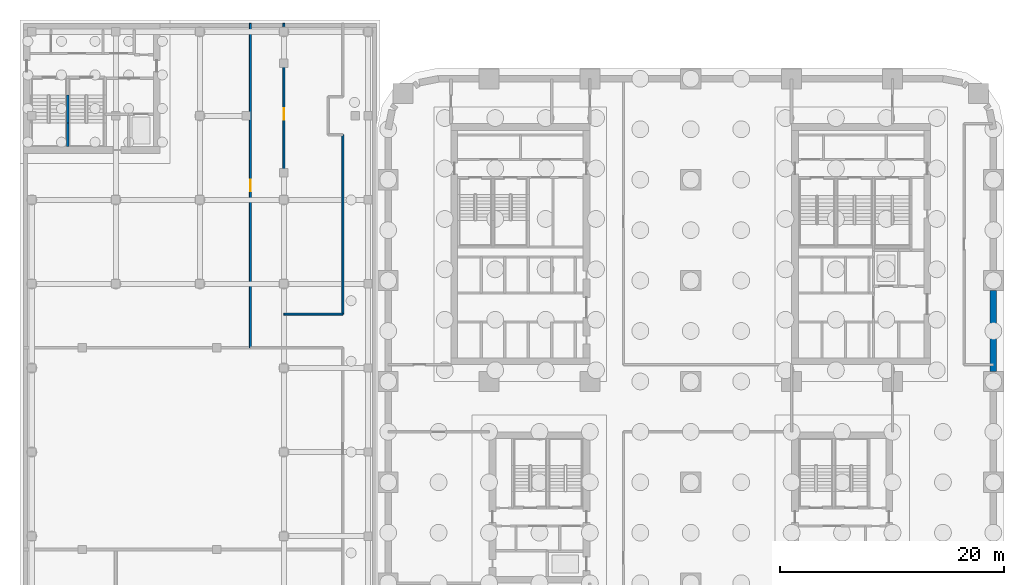
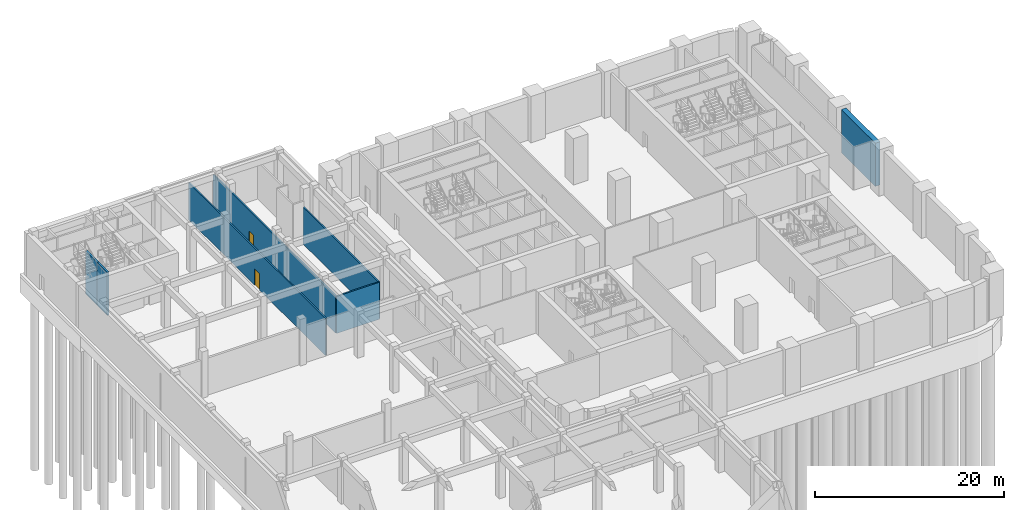
# One storey, part 10 of 26: 7 walls, 2 doors, 2 openings.
"""IFC4 building model written with IfcOpenShell, lengths in metres."""

from ifc_helpers import new_model, si_unit, direction, frame, frame_2d, origin, place, context, subcontext, project, spatial, rectangle, extrude, material, layer, layer_set, type_object, element, fill, save


model = new_model("IFC4")

# Units and contexts
model_context = context("Model", 3, precision=1e-05, world=origin(), true_north=direction((0.0, 1.0)))
body_context = subcontext(model_context, "Body", "Model", "MODEL_VIEW")
ifc_project = project(units=[si_unit("LENGTHUNIT", "METRE"), si_unit("AREAUNIT", "SQUARE_METRE"), si_unit("VOLUMEUNIT", "CUBIC_METRE"), si_unit("PLANEANGLEUNIT", "RADIAN"), si_unit("MASSUNIT", "GRAM", prefix="KILO")], contexts=[model_context])

# Site, building, storey
site_placement = place(None, origin())
site = spatial("IfcSite", under=ifc_project, at=site_placement, CompositionType="ELEMENT")
building_placement = place(site_placement, origin())
building = spatial("IfcBuilding", under=site, at=building_placement, Name="Tessera Arch", CompositionType="ELEMENT")
storey_placement = place(building_placement, frame((0.0, 0.0, -6.0)))
storey = spatial("IfcBuildingStorey", under=building, at=storey_placement, Name="B1", CompositionType="ELEMENT", Elevation=-6.0)

# Walls
ifc_material_1 = material(Name="Concrete C50/60", Category="concrete")
ifc_layer_1 = layer(ifc_material_1, 0.60009765625)
ifc_layer_set_1 = layer_set([ifc_layer_1], Name="Basement wall 600 Concrete C50/60")
wall_type_1 = type_object("IfcWallType", Name="Basement wall 600 Concrete C50/60", PredefinedType="SOLIDWALL", material=ifc_layer_set_1)
wall_1_placement = place(storey_placement, frame((54.0, 27.89990234375, 0.0), z_axis=(0.0, 0.0, 1.0), x_axis=(0.0, 1.0, 0.0)))
element("IfcWall", 1, at=wall_1_placement, inside=storey, type_object=wall_type_1, Name="Basement wall B1 4", PredefinedType="SOLIDWALL", context=body_context, shape_type="SweptSolid", body=[
    extrude(rectangle(XDim=7.2001953125, YDim=0.60009765625, at=frame_2d((3.60009765625, 0.0))), origin(), (0.0, 0.0, 1.0), 5.590087890625),
])
ifc_material_2 = material(Name="Gypsum board on deep steel stud with mineral wool", Category="steel")
ifc_layer_2 = layer(ifc_material_2, 0.175048828125)
ifc_layer_set_2 = layer_set([ifc_layer_2], Name="Corridor wall 175 EI 60")
wall_type_2 = type_object("IfcWallType", Name="Corridor wall 175 EI 60", PredefinedType="PARTITIONING", material=ifc_layer_set_2)
wall_2_placement = place(storey_placement, frame((-9.300048828125, 33.0, 0.0), z_axis=(0.0, 0.0, 1.0), x_axis=(1.0, 0.0, 0.0)))
element("IfcWall", 2, at=wall_2_placement, inside=storey, type_object=wall_type_2, Name="B1 partition 8", PredefinedType="PARTITIONING", context=body_context, shape_type="SweptSolid", body=[
    extrude(rectangle(XDim=5.25, YDim=0.175048828125, at=frame_2d((2.625, 0.0))), origin(), (0.0, 0.0, 1.0), 4.7900390625),
])

# Wall, opening, door
wall_3_placement = place(storey_placement, frame((-12.300048828125, 30.0, 0.0), z_axis=(0.0, 0.0, 1.0), x_axis=(0.0, 1.0, 0.0)))
wall_3 = element("IfcWall", 3, at=wall_3_placement, inside=storey, type_object=wall_type_2, Name="B1 partition 12", PredefinedType="PARTITIONING", context=body_context, shape_type="SweptSolid", body=[
    extrude(rectangle(XDim=28.949951171875, YDim=0.175048828125, at=frame_2d((14.47509765625, 0.0))), origin(), (0.0, 0.0, 1.0), 4.7900390625),
])
opening_1_placement = place(wall_3_placement, frame((13.97509765625, 0.0, 0.0)))
opening_1 = element("IfcOpeningElement", 4, at=opening_1_placement, cuts=wall_3, Name="Opening B1-D016", PredefinedType="OPENING", context=body_context, shape_type="SweptSolid", body=[
    extrude(rectangle(XDim=1.0, YDim=2.10009765625, at=frame_2d((0.5, 1.050048828125))), frame((0.0, 0.097412109375, 0.0), z_axis=(0.0, -1.0, 0.0), x_axis=(1.0, 0.0, 0.0)), (0.0, 0.0, 1.0), 0.195068359375),
])
ifc_material_3 = material(Name="Fire-rated door leaf")
door_type = type_object("IfcDoorType", Name="Entrance door FD60 1000 x 2100", OperationType="SINGLE_SWING_LEFT", PredefinedType="DOOR", material=ifc_material_3)
door_1_placement = place(opening_1_placement, origin())
door_1 = element("IfcDoor", 5, at=door_1_placement, inside=storey, type_object=door_type, Name="B1 door D016 type D16", OperationType="SINGLE_SWING_RIGHT", OverallHeight=2.10009765625, OverallWidth=1.0, PredefinedType="DOOR", context=body_context, shape_type="SweptSolid", body=[
    extrude(rectangle(XDim=1.0, YDim=2.10009765625, at=frame_2d((0.5, 1.050048828125))), frame((0.0, 0.02490234375, 0.0), z_axis=(0.0, -1.0, 0.0), x_axis=(1.0, 0.0, 0.0)), (0.0, 0.0, 1.0), 0.050048828125),
])
fill(opening_1, door_1)

wall_4_placement = place(storey_placement, frame((-9.300048828125, 33.0, 0.0), z_axis=(0.0, 0.0, 1.0), x_axis=(0.0, 1.0, 0.0)))
wall_4 = element("IfcWall", 6, at=wall_4_placement, inside=storey, type_object=wall_type_2, Name="B1 partition 13", PredefinedType="PARTITIONING", context=body_context, shape_type="SweptSolid", body=[
    extrude(rectangle(XDim=25.949951171875, YDim=0.175048828125, at=frame_2d((12.97509765625, 0.0))), origin(), (0.0, 0.0, 1.0), 4.7900390625),
])
opening_2_placement = place(wall_4_placement, frame((17.364990234375, 0.0, 0.0)))
opening_2 = element("IfcOpeningElement", 7, at=opening_2_placement, cuts=wall_4, Name="Opening B1-D018", PredefinedType="OPENING", context=body_context, shape_type="SweptSolid", body=[
    extrude(rectangle(XDim=1.0, YDim=2.10009765625, at=frame_2d((0.5, 1.050048828125))), frame((0.0, 0.097412109375, 0.0), z_axis=(0.0, -1.0, 0.0), x_axis=(1.0, 0.0, 0.0)), (0.0, 0.0, 1.0), 0.195068359375),
])
door_2_placement = place(opening_2_placement, origin())
door_2 = element("IfcDoor", 8, at=door_2_placement, inside=storey, type_object=door_type, Name="B1 door D018 type D16", OperationType="SINGLE_SWING_LEFT", OverallHeight=2.10009765625, OverallWidth=1.0, PredefinedType="DOOR", context=body_context, shape_type="SweptSolid", body=[
    extrude(rectangle(XDim=1.0, YDim=2.10009765625, at=frame_2d((0.5, 1.050048828125))), frame((0.0, 0.02490234375, 0.0), z_axis=(0.0, -1.0, 0.0), x_axis=(1.0, 0.0, 0.0)), (0.0, 0.0, 1.0), 0.050048828125),
])
fill(opening_2, door_2)

# Walls
wall_5_placement = place(storey_placement, frame((-4.050048828125, 33.0, 0.0), z_axis=(0.0, 0.0, 1.0), x_axis=(0.0, 1.0, 0.0)))
element("IfcWall", 9, at=wall_5_placement, inside=storey, type_object=wall_type_2, Name="B1 partition 16", PredefinedType="PARTITIONING", context=body_context, shape_type="SweptSolid", body=[
    extrude(rectangle(XDim=16.0, YDim=0.175048828125, at=frame_2d((8.0, 0.0))), origin(), (0.0, 0.0, 1.0), 4.7900390625),
])
ifc_material_4 = material(Name="Concrete C40/50", Category="concrete")
ifc_layer_3 = layer(ifc_material_4, 0.199951171875)
ifc_layer_set_3 = layer_set([ifc_layer_3], Name="Stair well wall 200 REI 180")
wall_type_3 = type_object("IfcWallType", Name="Stair well wall 200 REI 180", PredefinedType="SOLIDWALL", material=ifc_layer_set_3)
wall_6_placement = place(storey_placement, frame((-28.60009765625, 47.949951171875, 0.0), z_axis=(0.0, 0.0, 1.0), x_axis=(0.0, 1.0, 0.0)))
element("IfcWall", 10, at=wall_6_placement, inside=storey, type_object=wall_type_3, Name="B1 M1 shaft wall 2", PredefinedType="SOLIDWALL", context=body_context, shape_type="SweptSolid", body=[
    extrude(rectangle(XDim=2.1201171875, YDim=0.199951171875, at=frame_2d((1.06005859375, 0.0))), origin(), (0.0, 0.0, 1.0), 5.590087890625),
])
wall_7_placement = place(storey_placement, frame((-28.60009765625, 50.070068359375, 0.0), z_axis=(0.0, 0.0, 1.0), x_axis=(0.0, 1.0, 0.0)))
element("IfcWall", 11, at=wall_7_placement, inside=storey, type_object=wall_type_3, Name="B1 M1 shaft wall 3", PredefinedType="SOLIDWALL", context=body_context, shape_type="SweptSolid", body=[
    extrude(rectangle(XDim=2.47998046875, YDim=0.199951171875, at=frame_2d((1.239990234375, 0.0))), origin(), (0.0, 0.0, 1.0), 5.590087890625),
])

save(model, "model.ifc")
